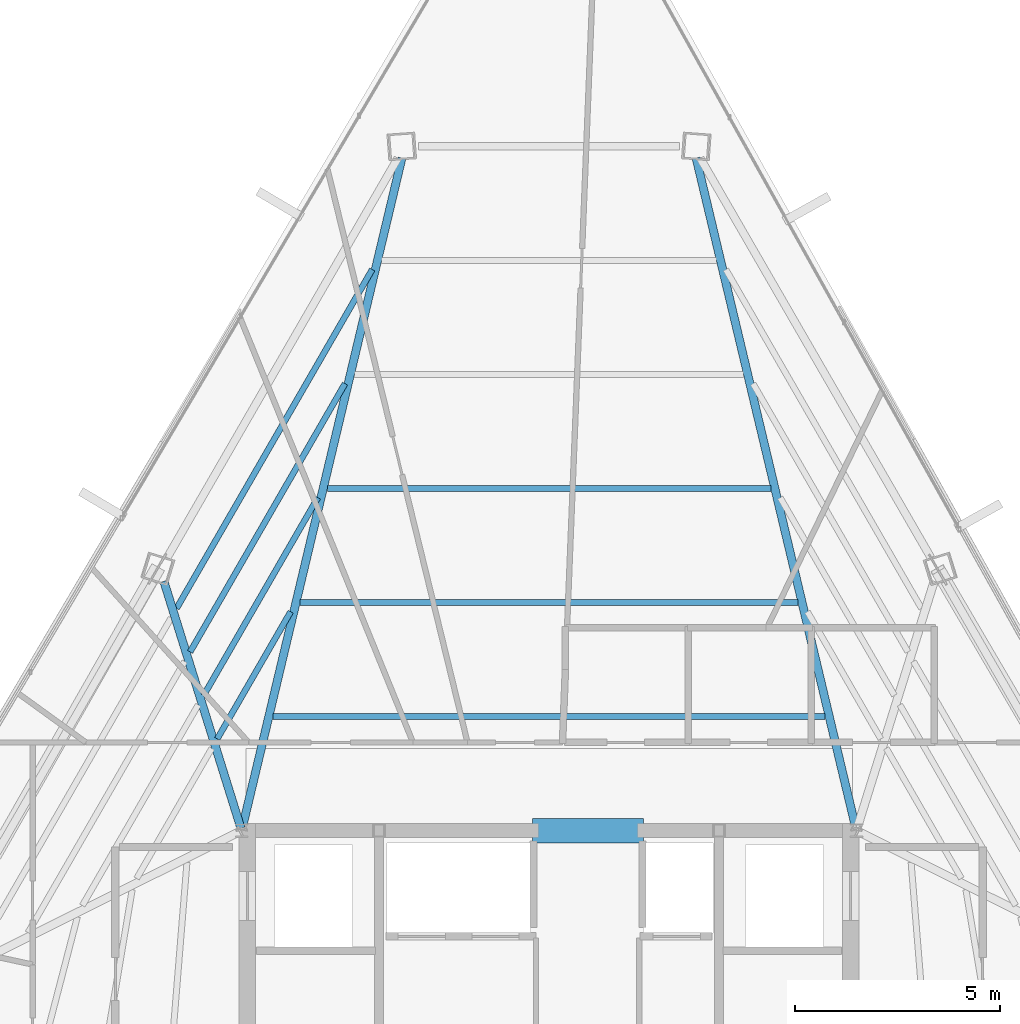
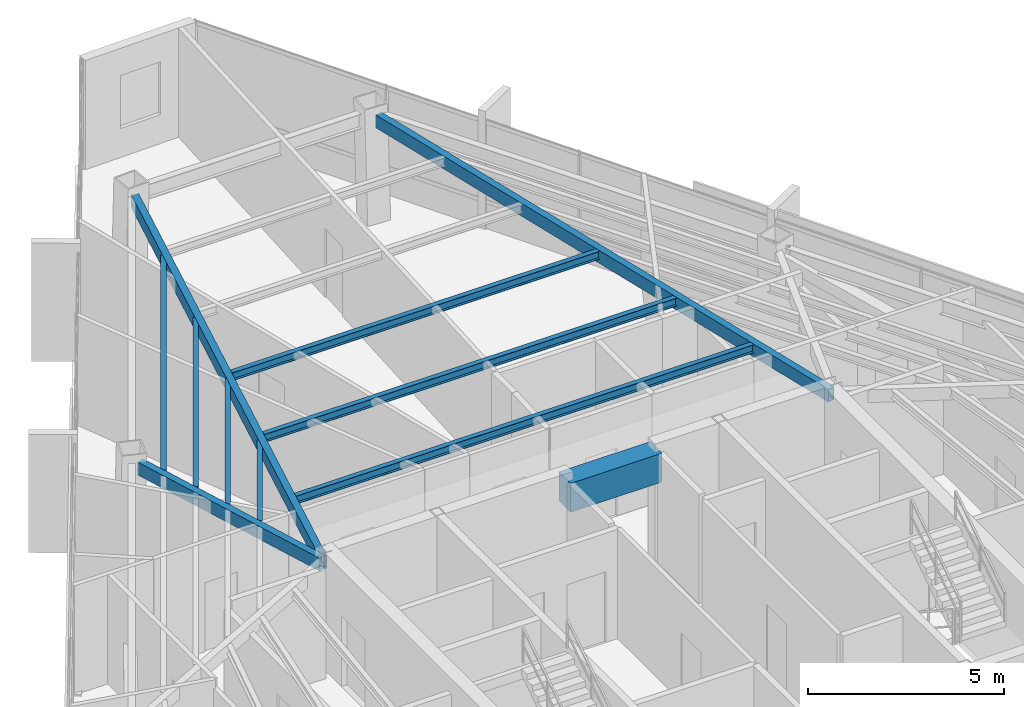
# One storey, part 18 of 45: 11 beams.
"""IFC4 building model written with IfcOpenShell, lengths in metres."""

from ifc_helpers import new_model, si_unit, direction, frame, origin, origin_2d, place, context, subcontext, project, spatial, rectangle, hollow_rectangle, i_section, extrude, source, transform, mapped, material, material_profile, profile_set, type_object, type_shapes, element, save


model = new_model("IFC4")

# Units and contexts
model_context = context("Model", 3, precision=1e-05, world=origin(), true_north=direction((0.0, 1.0)))
body_context = subcontext(model_context, "Body", "Model", "MODEL_VIEW")
ifc_project = project(units=[si_unit("LENGTHUNIT", "METRE"), si_unit("AREAUNIT", "SQUARE_METRE"), si_unit("VOLUMEUNIT", "CUBIC_METRE"), si_unit("PLANEANGLEUNIT", "RADIAN"), si_unit("MASSUNIT", "GRAM", prefix="KILO")], contexts=[model_context])

# Site, building, storey
site_placement = place(None, origin())
site = spatial("IfcSite", under=ifc_project, at=site_placement, CompositionType="ELEMENT")
building_placement = place(site_placement, origin())
building = spatial("IfcBuilding", under=site, at=building_placement, Name="Caelisora Broadcast Tower", CompositionType="ELEMENT")
storey_placement = place(building_placement, frame((0.0, 0.0, 266.35009765625)))
storey = spatial("IfcBuildingStorey", under=building, at=storey_placement, Name="L70", CompositionType="ELEMENT", Elevation=266.35009765625)

# Beams
ifc_material_1 = material(Name="Concrete 50 MPa (AS 3600 S50)", Category="concrete")
ifc_material_profile_1 = material_profile(ifc_material_1, rectangle(XDim=0.60009765625, YDim=0.89990234375, at=origin_2d()), Name="Concrete 50 MPa (AS 3600 S50)")
ifc_profile_set_1 = profile_set([ifc_material_profile_1], Name="Concrete 50 MPa (AS 3600 S50)")
beam_type_1 = type_object("IfcBeamType", Name="CB02", PredefinedType="LINTEL", material=ifc_profile_set_1)
shared_shape_1 = source(origin(), body_context, "Body", "SweptSolid", [
    extrude(rectangle(XDim=0.60009765625, YDim=0.89990234375, at=origin_2d()), origin(), (0.0, 0.0, 1.0), 2.699951171875),
])
type_shapes(beam_type_1, [shared_shape_1])
beam_1_placement = place(storey_placement, frame((37.60009765625, 30.0, 2.949951171875), z_axis=(1.0, 0.0, 0.0), x_axis=(0.0, 1.0, 0.0)))
element("IfcBeam", 1, at=beam_1_placement, inside=storey, type_object=beam_type_1, Name="L70 beam CB02", PredefinedType="LINTEL", context=body_context, shape_type="MappedRepresentation", body=[
    mapped(shared_shape_1, transform((0.0, 0.0, 0.0), scale=1.0)),
])
ifc_material_2 = material(Name="Steel Grade 350 (AS/NZS 1163 C350L0)", Category="steel")
ifc_material_profile_2 = material_profile(ifc_material_2, hollow_rectangle(XDim=0.199951171875, YDim=0.39990234375, WallThickness=0.012451171875, at=origin_2d()), Name="Steel Grade 350 (AS/NZS 1163 C350L0)")
ifc_profile_set_2 = profile_set([ifc_material_profile_2], Name="Steel Grade 350 (AS/NZS 1163 C350L0)")
beam_type_2 = type_object("IfcBeamType", Name="PG07", PredefinedType="BEAM", material=ifc_profile_set_2)
shared_shape_2 = source(origin(), body_context, "Body", "SweptSolid", [
    extrude(hollow_rectangle(XDim=0.199951171875, YDim=0.39990234375, WallThickness=0.012451171875, at=origin_2d()), origin(), (0.0, 0.0, 1.0), 16.80810546875),
])
for number, where, z_axis, x_axis, name in (
    (2, (45.486083984375, 30.058349609375, 3.199951171875), (-0.231792675006, 0.972765211042, 0.0), (-0.972765211042, -0.231792675006, 0.0), "L70 beam PG07"),
    (3, (30.513916015625, 30.058349609375, 3.199951171875), (0.231792675006, 0.972765211042, 0.0), (-0.972765211042, 0.231792675006, 0.0), "L70 beam PG07"),
):
    element("IfcBeam", number, at=place(storey_placement, frame(where, z_axis=z_axis, x_axis=x_axis)), inside=storey, type_object=beam_type_2, Name=name, PredefinedType="BEAM", context=body_context, shape_type="MappedRepresentation", body=[
        mapped(shared_shape_2, transform((0.0, 0.0, 0.0), scale=1.0)),
    ])
shared_shape_3 = source(origin(), body_context, "Body", "SweptSolid", [
    extrude(hollow_rectangle(XDim=0.199951171875, YDim=0.39990234375, WallThickness=0.012451171875, at=origin_2d()), origin(), (0.0, 0.0, 1.0), 6.310546875),
])
type_shapes(beam_type_2, [shared_shape_2, shared_shape_3])
beam_2_placement = place(storey_placement, frame((30.482177734375, 30.057373046875, 3.199951171875), z_axis=(-0.297935732111, 0.954585930931, 0.0), x_axis=(-0.954585930931, -0.297935732111, 0.0)))
element("IfcBeam", 4, at=beam_2_placement, inside=storey, type_object=beam_type_2, Name="L70 beam PG07", PredefinedType="BEAM", context=body_context, shape_type="MappedRepresentation", body=[
    mapped(shared_shape_3, transform((0.0, 0.0, 0.0), scale=1.0)),
])
ifc_material_3 = material(Name="Steel Grade 350 (AS/NZS 3679.1)", Category="steel")
ifc_material_profile_3 = material_profile(ifc_material_3, i_section(OverallWidth=0.14599609375, OverallDepth=0.256103515625, WebThickness=0.00634765625, FlangeThickness=0.010986328125, at=origin_2d()), Name="Steel Grade 350 (AS/NZS 3679.1)")
ifc_profile_set_3 = profile_set([ifc_material_profile_3], Name="Steel Grade 350 (AS/NZS 3679.1)")
beam_type_3 = type_object("IfcBeamType", Name="SB04", PredefinedType="JOIST", material=ifc_profile_set_3)
shared_shape_4 = source(origin(), body_context, "Body", "SweptSolid", [
    extrude(i_section(OverallWidth=0.14599609375, OverallDepth=0.256103515625, WebThickness=0.00634765625, FlangeThickness=0.010986328125, at=origin_2d()), origin(), (0.0, 0.0, 1.0), 13.47412109375),
])
beam_3_placement = place(storey_placement, frame((44.737060546875, 32.783203125, 3.271728515625), z_axis=(-1.0, 0.0, 0.0), x_axis=(0.0, -1.0, 0.0)))
element("IfcBeam", 5, at=beam_3_placement, inside=storey, type_object=beam_type_3, Name="L70 beam SB04", PredefinedType="JOIST", context=body_context, shape_type="MappedRepresentation", body=[
    mapped(shared_shape_4, transform((0.0, 0.0, 0.0), scale=1.0)),
])
shared_shape_5 = source(origin(), body_context, "Body", "SweptSolid", [
    extrude(i_section(OverallWidth=0.14599609375, OverallDepth=0.256103515625, WebThickness=0.00634765625, FlangeThickness=0.010986328125, at=origin_2d()), origin(), (0.0, 0.0, 1.0), 12.14794921875),
])
beam_4_placement = place(storey_placement, frame((44.073974609375, 35.566162109375, 3.271728515625), z_axis=(-1.0, 0.0, 0.0), x_axis=(0.0, -1.0, 0.0)))
element("IfcBeam", 6, at=beam_4_placement, inside=storey, type_object=beam_type_3, Name="L70 beam SB04", PredefinedType="JOIST", context=body_context, shape_type="MappedRepresentation", body=[
    mapped(shared_shape_5, transform((0.0, 0.0, 0.0), scale=1.0)),
])
shared_shape_6 = source(origin(), body_context, "Body", "SweptSolid", [
    extrude(i_section(OverallWidth=0.14599609375, OverallDepth=0.256103515625, WebThickness=0.00634765625, FlangeThickness=0.010986328125, at=origin_2d()), origin(), (0.0, 0.0, 1.0), 10.8212890625),
])
beam_5_placement = place(storey_placement, frame((43.41064453125, 38.349365234375, 3.271728515625), z_axis=(-1.0, 0.0, 0.0), x_axis=(0.0, -1.0, 0.0)))
element("IfcBeam", 7, at=beam_5_placement, inside=storey, type_object=beam_type_3, Name="L70 beam SB04", PredefinedType="JOIST", context=body_context, shape_type="MappedRepresentation", body=[
    mapped(shared_shape_6, transform((0.0, 0.0, 0.0), scale=1.0)),
])
shared_shape_7 = source(origin(), body_context, "Body", "SweptSolid", [
    extrude(i_section(OverallWidth=0.14599609375, OverallDepth=0.256103515625, WebThickness=0.00634765625, FlangeThickness=0.010986328125, at=origin_2d()), origin(), (0.0, 0.0, 1.0), 3.583984375),
])
beam_6_placement = place(storey_placement, frame((31.6962890625, 35.3408203125, 3.271728515625), z_axis=(-0.500007460641, -0.866021096339, 0.0), x_axis=(0.866021096339, -0.500007460641, 0.0)))
element("IfcBeam", 8, at=beam_6_placement, inside=storey, type_object=beam_type_3, Name="L70 beam SB04", PredefinedType="JOIST", context=body_context, shape_type="MappedRepresentation", body=[
    mapped(shared_shape_7, transform((0.0, 0.0, 0.0), scale=1.0)),
])
shared_shape_8 = source(origin(), body_context, "Body", "SweptSolid", [
    extrude(i_section(OverallWidth=0.14599609375, OverallDepth=0.256103515625, WebThickness=0.00634765625, FlangeThickness=0.010986328125, at=origin_2d()), origin(), (0.0, 0.0, 1.0), 5.572509765625),
])
beam_7_placement = place(storey_placement, frame((32.359375, 38.1240234375, 3.271728515625), z_axis=(-0.500016995211, -0.866015591372, 0.0), x_axis=(0.866015591372, -0.500016995211, 0.0)))
element("IfcBeam", 9, at=beam_7_placement, inside=storey, type_object=beam_type_3, Name="L70 beam SB04", PredefinedType="JOIST", context=body_context, shape_type="MappedRepresentation", body=[
    mapped(shared_shape_8, transform((0.0, 0.0, 0.0), scale=1.0)),
])
shared_shape_9 = source(origin(), body_context, "Body", "SweptSolid", [
    extrude(i_section(OverallWidth=0.14599609375, OverallDepth=0.256103515625, WebThickness=0.00634765625, FlangeThickness=0.010986328125, at=origin_2d()), origin(), (0.0, 0.0, 1.0), 7.56103515625),
])
beam_8_placement = place(storey_placement, frame((33.0224609375, 40.906982421875, 3.271728515625), z_axis=(-0.499997298125, -0.866026963707, 0.0), x_axis=(0.866026963707, -0.499997298125, 0.0)))
element("IfcBeam", 10, at=beam_8_placement, inside=storey, type_object=beam_type_3, Name="L70 beam SB04", PredefinedType="JOIST", context=body_context, shape_type="MappedRepresentation", body=[
    mapped(shared_shape_9, transform((0.0, 0.0, 0.0), scale=1.0)),
])
shared_shape_10 = source(origin(), body_context, "Body", "SweptSolid", [
    extrude(i_section(OverallWidth=0.14599609375, OverallDepth=0.256103515625, WebThickness=0.00634765625, FlangeThickness=0.010986328125, at=origin_2d()), origin(), (0.0, 0.0, 1.0), 9.549560546875),
])
type_shapes(beam_type_3, [shared_shape_4, shared_shape_5, shared_shape_6, shared_shape_7, shared_shape_8, shared_shape_9, shared_shape_10])
beam_9_placement = place(storey_placement, frame((33.685546875, 43.690185546875, 3.271728515625), z_axis=(-0.499985803971, -0.86603359971, 0.0), x_axis=(0.86603359971, -0.499985803971, 0.0)))
element("IfcBeam", 11, at=beam_9_placement, inside=storey, type_object=beam_type_3, Name="L70 beam SB04", PredefinedType="JOIST", context=body_context, shape_type="MappedRepresentation", body=[
    mapped(shared_shape_10, transform((0.0, 0.0, 0.0), scale=1.0)),
])

save(model, "model.ifc")
